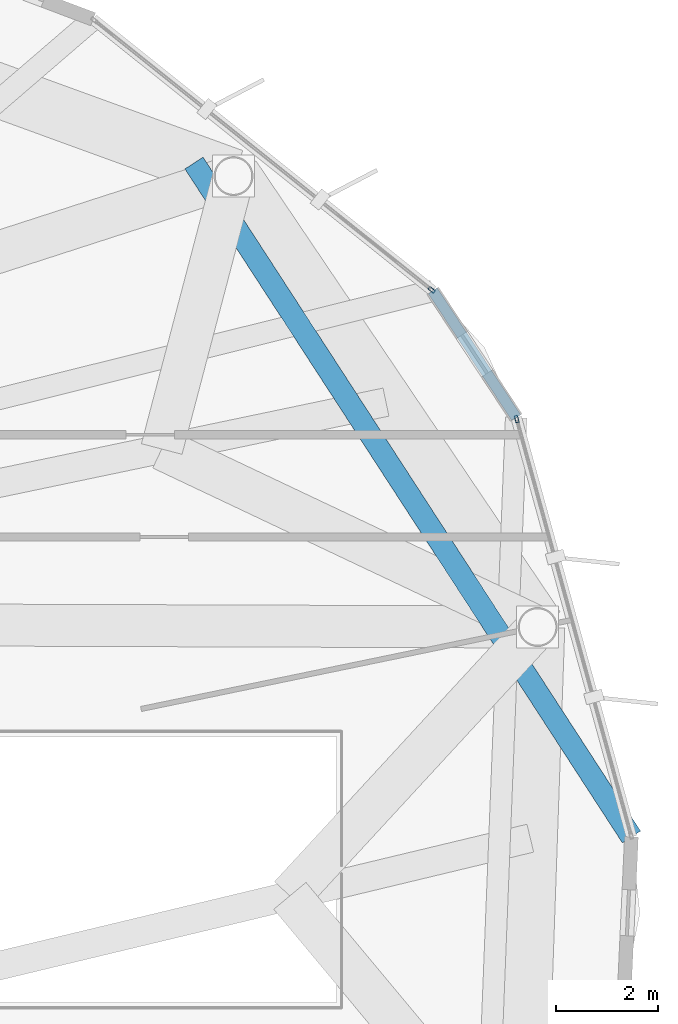
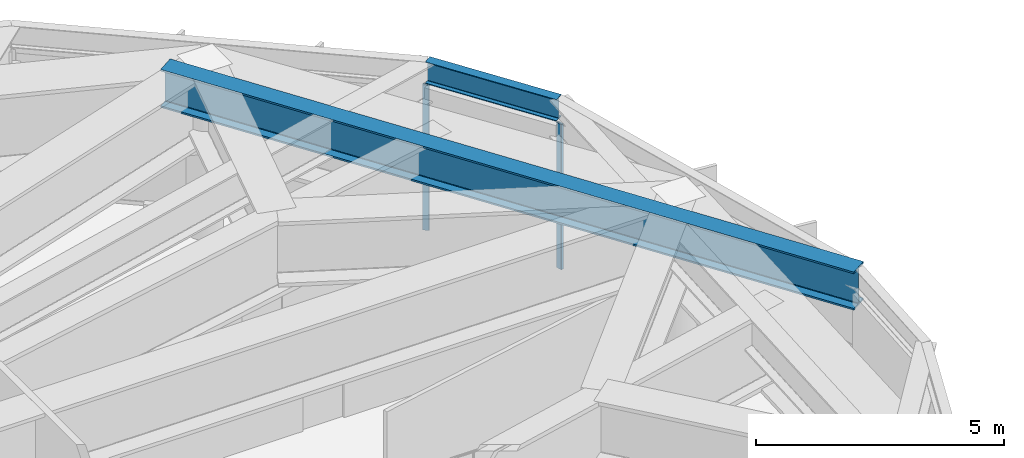
# One storey, part 17 of 27: 2 beams, 2 members, 2 elements without a shape of their own.
"""IFC4 building model written with IfcOpenShell, lengths in metres."""

from ifc_helpers import new_model, si_unit, direction, frame, origin, origin_2d, place, context, subcontext, project, spatial, hollow_rectangle, i_section, extrude, material, layer, layer_set, material_profile, profile_set, type_object, element, aggregate, save


model = new_model("IFC4")

# Units and contexts
model_context = context("Model", 3, precision=1e-05, world=origin(), true_north=direction((0.0, 1.0)))
body_context = subcontext(model_context, "Body", "Model", "MODEL_VIEW")
ifc_project = project(units=[si_unit("LENGTHUNIT", "METRE"), si_unit("AREAUNIT", "SQUARE_METRE"), si_unit("VOLUMEUNIT", "CUBIC_METRE"), si_unit("PLANEANGLEUNIT", "RADIAN"), si_unit("MASSUNIT", "GRAM", prefix="KILO")], contexts=[model_context])

# Site, building, storey
site_placement = place(None, origin())
site = spatial("IfcSite", under=ifc_project, at=site_placement, CompositionType="ELEMENT")
building_placement = place(site_placement, origin())
building = spatial("IfcBuilding", under=site, at=building_placement, Name="Soratama Intermodal Tower", CompositionType="ELEMENT")
storey_placement = place(building_placement, frame((0.0, 0.0, 288.550048828125)))
storey = spatial("IfcBuildingStorey", under=building, at=storey_placement, Name="L73", CompositionType="ELEMENT", Elevation=288.550048828125)

# Beams
ifc_material_1 = material(Name="Structural steel ASTM A992 Grade 50", Category="steel")
ifc_material_profile_1 = material_profile(ifc_material_1, i_section(OverallWidth=0.423095703125, OverallDepth=0.93896484375, WebThickness=0.02392578125, FlangeThickness=0.042724609375, FilletRadius=0.02392578125, at=origin_2d()), Name="W36X302")
ifc_profile_set_1 = profile_set([ifc_material_profile_1], Name="Structural steel ASTM A992 Grade 50")
beam_type_1 = type_object("IfcBeamType", Name="BM-POD-W36X302", PredefinedType="BEAM", material=ifc_profile_set_1)
beam_1_placement = place(storey_placement, frame((54.81689453125, 38.80908203125, 3.725341796875), z_axis=(0.544487128172, -0.838769197846, 0.0), x_axis=(0.838769197846, 0.544487128172, 0.0)))
element("IfcBeam", 1, at=beam_1_placement, inside=storey, type_object=beam_type_1, Name="BM-L73-TIE0-09", PredefinedType="BEAM", context=body_context, shape_type="SweptSolid", body=[
    extrude(i_section(OverallWidth=0.423095703125, OverallDepth=0.93896484375, WebThickness=0.02392578125, FlangeThickness=0.042724609375, FilletRadius=0.02392578125, at=origin_2d()), origin(), (0.0, 0.0, 1.0), 15.702880859375),
])
ifc_material_2 = material(Name="Structural steel ASTM A992 Grade 50", Category="steel")
ifc_material_profile_2 = material_profile(ifc_material_2, i_section(OverallWidth=0.2099609375, OverallDepth=0.537109375, WebThickness=0.010986328125, FlangeThickness=0.017333984375, FilletRadius=0.012939453125, at=origin_2d()), Name="W21X68")
ifc_profile_set_2 = profile_set([ifc_material_profile_2], Name="Structural steel ASTM A992 Grade 50")
beam_type_2 = type_object("IfcBeamType", Name="BM-SPN-W21X68", PredefinedType="SPANDREL", material=ifc_profile_set_2)
beam_2_placement = place(storey_placement, frame((61.114990234375, 33.833984375, 3.926513671875), z_axis=(-0.549809952537, 0.835289779712, 0.0), x_axis=(-0.835289779712, -0.549809952537, 0.0)))
element("IfcBeam", 2, at=beam_2_placement, inside=storey, type_object=beam_type_2, Name="BS-L73-CRN09", PredefinedType="SPANDREL", context=body_context, shape_type="SweptSolid", body=[
    extrude(i_section(OverallWidth=0.2099609375, OverallDepth=0.537109375, WebThickness=0.010986328125, FlangeThickness=0.017333984375, FilletRadius=0.012939453125, at=origin_2d()), origin(), (0.0, 0.0, 1.0), 2.966552734375),
])

# Curtain wall, member
ifc_material_3 = material(Name="Double-glazed aluminium curtain wall", Category="aluminium")
ifc_layer = layer(ifc_material_3, 0.159912109375)
ifc_layer_set = layer_set([ifc_layer], Name="Double-glazed aluminium curtain wall")
curtain_wall_type = type_object("IfcCurtainWallType", Name="CW-SYS-6", PredefinedType="NOTDEFINED", material=ifc_layer_set)
curtain_wall_1_placement = place(storey_placement, origin())
curtain_wall_1 = element("IfcCurtainWall", 3, at=curtain_wall_1_placement, inside=storey, type_object=curtain_wall_type, Name="L73 Faceted Curtain Wall F09", PredefinedType="NOTDEFINED")
ifc_material_4 = material(Name="Anodised aluminium AA 6063-T6", Category="aluminium")
ifc_material_profile_3 = material_profile(ifc_material_4, hollow_rectangle(XDim=0.06494140625, YDim=0.139892578125, WallThickness=0.0048828125, InnerFilletRadius=0.0048828125, OuterFilletRadius=0.010009765625, at=origin_2d()), Name="CWM140X65X5")
ifc_profile_set_3 = profile_set([ifc_material_profile_3], Name="Anodised aluminium AA 6063-T6")
member_type = type_object("IfcMemberType", Name="MT-CWM-6", PredefinedType="MULLION", material=ifc_profile_set_3)
member_1_placement = place(storey_placement, frame((61.12353515625, 33.80517578125, 0.0), z_axis=(0.0, 0.0, 1.0), x_axis=(-0.964282204153, -0.264877010617, 0.0)))
member_1 = element("IfcMember", 4, at=member_1_placement, type_object=member_type, Name="CW-6 mullion 2", PredefinedType="MULLION", context=body_context, shape_type="SweptSolid", body=[
    extrude(hollow_rectangle(XDim=0.06494140625, YDim=0.139892578125, WallThickness=0.0048828125, InnerFilletRadius=0.0048828125, OuterFilletRadius=0.010009765625, at=origin_2d()), origin(), (0.0, 0.0, 1.0), 3.573974609375),
])
aggregate(curtain_wall_1, [member_1])

curtain_wall_2_placement = place(storey_placement, origin())
curtain_wall_2 = element("IfcCurtainWall", 5, at=curtain_wall_2_placement, inside=storey, type_object=curtain_wall_type, Name="L73 Faceted Curtain Wall F10", PredefinedType="NOTDEFINED")
member_2_placement = place(storey_placement, frame((59.460693359375, 36.33056640625, 0.0), z_axis=(0.0, 0.0, 1.0), x_axis=(-0.624423842519, -0.781085696255, 0.0)))
member_2 = element("IfcMember", 6, at=member_2_placement, type_object=member_type, Name="CW-6 mullion 1", PredefinedType="MULLION", context=body_context, shape_type="SweptSolid", body=[
    extrude(hollow_rectangle(XDim=0.06494140625, YDim=0.139892578125, WallThickness=0.0048828125, InnerFilletRadius=0.0048828125, OuterFilletRadius=0.010009765625, at=origin_2d()), origin(), (0.0, 0.0, 1.0), 3.573974609375),
])
aggregate(curtain_wall_2, [member_2])

save(model, "model.ifc")
